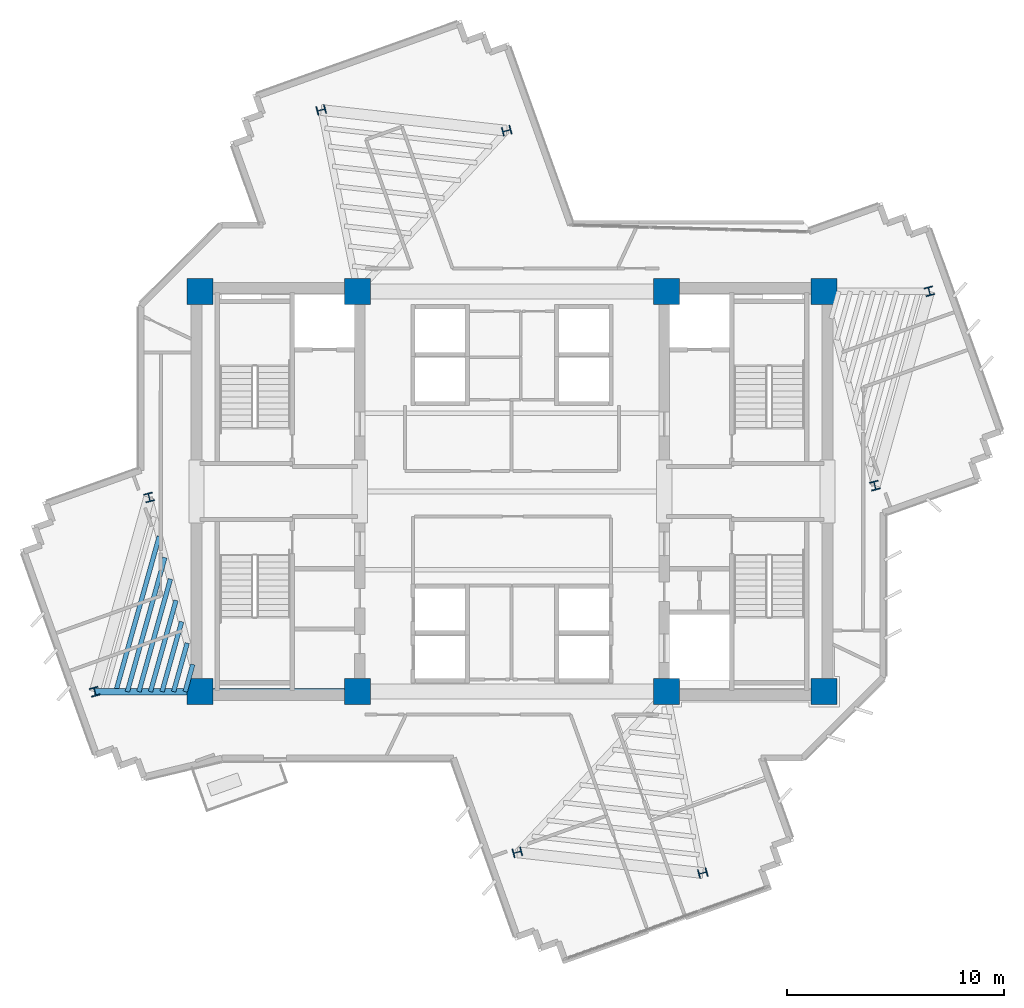
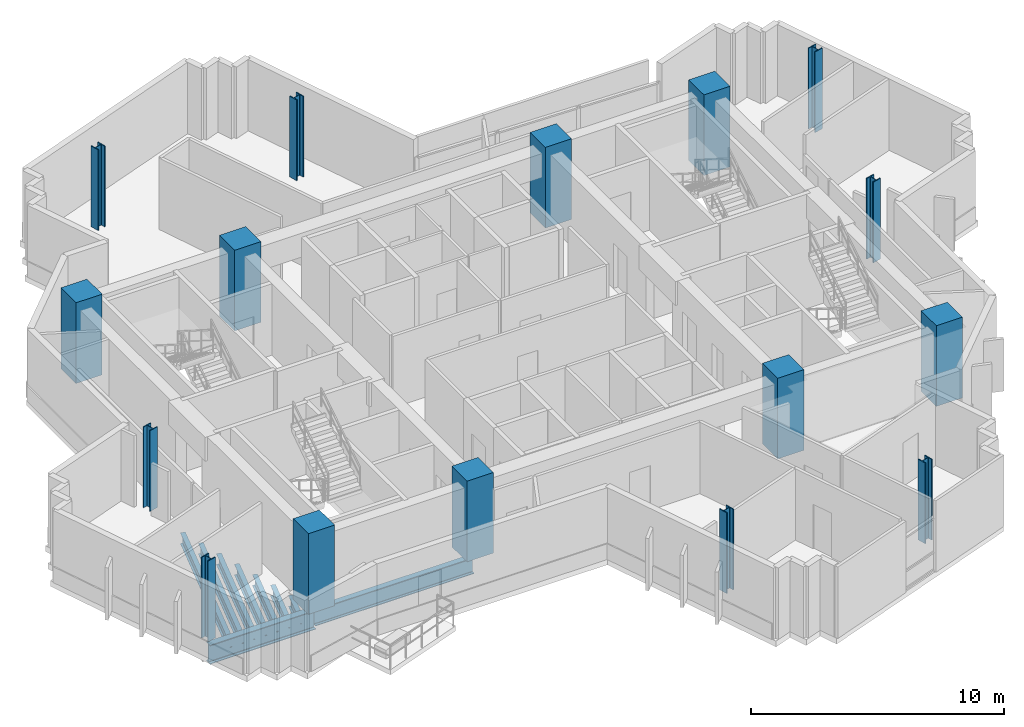
# One storey, part 1 of 13: 16 columns, 9 beams.
"""IFC4 building model written with IfcOpenShell, lengths in metres."""

from ifc_helpers import new_model, si_unit, direction, frame, origin, origin_2d, place, context, subcontext, project, spatial, rectangle, i_section, extrude, source, transform, mapped, material, material_profile, profile_set, type_object, element, save


model = new_model("IFC4")

# Units and contexts
model_context = context("Model", 3, precision=1e-05, world=origin(), true_north=direction((0.0, 1.0)))
body_context = subcontext(model_context, "Body", "Model", "MODEL_VIEW")
ifc_project = project(units=[si_unit("LENGTHUNIT", "METRE"), si_unit("AREAUNIT", "SQUARE_METRE"), si_unit("VOLUMEUNIT", "CUBIC_METRE"), si_unit("PLANEANGLEUNIT", "RADIAN"), si_unit("MASSUNIT", "GRAM", prefix="KILO")], contexts=[model_context])

# Site, building, storey
site_placement = place(None, origin())
site = spatial("IfcSite", under=ifc_project, at=site_placement, CompositionType="ELEMENT")
building_placement = place(site_placement, origin())
building = spatial("IfcBuilding", under=site, at=building_placement, Name="Zahravan Cultural Tower", CompositionType="ELEMENT")
storey_placement = place(building_placement, frame((0.0, 0.0, 225.300048828125)))
storey = spatial("IfcBuildingStorey", under=building, at=storey_placement, Name="L53", CompositionType="ELEMENT", Elevation=225.300048828125)

# Columns
ifc_material_1 = material(Name="Concrete C50/60", Category="concrete")
ifc_material_profile_1 = material_profile(ifc_material_1, rectangle(XDim=1.199951171875, YDim=1.199951171875, at=origin_2d()), Name="RC1200X1200")
ifc_profile_set_1 = profile_set([ifc_material_profile_1], Name="Concrete C50/60")
column_type_1 = type_object("IfcColumnType", Name="COL-RC1200", PredefinedType="COLUMN", material=ifc_profile_set_1)
shared_shape_1 = source(origin(), body_context, "Body", "SweptSolid", [
    extrude(rectangle(XDim=1.199951171875, YDim=1.199951171875, at=origin_2d()), origin(), (0.0, 0.0, 1.0), 3.89990234375),
])
for number, where, z_axis, x_axis, name in (
    (1, (21.64990234375, 17.800048828125, 0.0), (0.0, 0.0, 1.0), (1.0, 0.0, 0.0), "L53 Column CC-W1"),
    (2, (28.89990234375, 17.800048828125, 0.0), (0.0, 0.0, 1.0), (1.0, 0.0, 0.0), "L53 Column CC-W2"),
    (3, (21.64990234375, 36.199951171875, 0.0), (0.0, 0.0, 1.0), (1.0, 0.0, 0.0), "L53 Column CC-W3"),
    (4, (28.89990234375, 36.199951171875, 0.0), (0.0, 0.0, 1.0), (1.0, 0.0, 0.0), "L53 Column CC-W4"),
    (5, (43.10009765625, 17.800048828125, 0.0), (0.0, 0.0, 1.0), (1.0, 0.0, 0.0), "L53 Column CC-E1"),
    (6, (50.35009765625, 17.800048828125, 0.0), (0.0, 0.0, 1.0), (1.0, 0.0, 0.0), "L53 Column CC-E2"),
    (7, (43.10009765625, 36.199951171875, 0.0), (0.0, 0.0, 1.0), (1.0, 0.0, 0.0), "L53 Column CC-E3"),
    (8, (50.35009765625, 36.199951171875, 0.0), (0.0, 0.0, 1.0), (1.0, 0.0, 0.0), "L53 Column CC-E4"),
):
    element("IfcColumn", number, at=place(storey_placement, frame(where, z_axis=z_axis, x_axis=x_axis)), inside=storey, type_object=column_type_1, Name=name, PredefinedType="COLUMN", context=body_context, shape_type="MappedRepresentation", body=[
        mapped(shared_shape_1, transform((0.0, 0.0, 0.0), x_axis=(1.0, 0.0, 0.0), y_axis=(0.0, 1.0, 0.0), z_axis=(0.0, 0.0, 1.0), scale=1.0)),
    ])
ifc_material_2 = material(Name="Steel ASTM A992 Grade 50", Category="steel")
ifc_material_profile_2 = material_profile(ifc_material_2, i_section(OverallWidth=0.404052734375, OverallDepth=0.406982421875, WebThickness=0.027099609375, FlangeThickness=0.043701171875, FilletRadius=0.01806640625, at=origin_2d()), Name="W14X233")
ifc_profile_set_2 = profile_set([ifc_material_profile_2], Name="Steel ASTM A992 Grade 50")
column_type_2 = type_object("IfcColumnType", Name="COL-W14X233", PredefinedType="COLUMN", material=ifc_profile_set_2)
shared_shape_2 = source(origin(), body_context, "Body", "SweptSolid", [
    extrude(i_section(OverallWidth=0.404052734375, OverallDepth=0.406982421875, WebThickness=0.027099609375, FlangeThickness=0.043701171875, FilletRadius=0.01806640625, at=origin_2d()), origin(), (0.0, 0.0, 1.0), 3.89990234375),
])
for number, where, z_axis, x_axis, name in (
    (9, (52.684326171875, 27.27099609375, 0.0), (0.0, 0.0, 1.0), (0.966823388604, 0.255445757936, 0.0), "L53 Column Z2C-E1"),
    (10, (55.184814453125, 36.2060546875, 0.0), (0.0, 0.0, 1.0), (0.966823388604, 0.255445757936, 0.0), "L53 Column Z2C-E2"),
    (11, (35.754638671875, 43.587646484375, 0.0), (0.0, 0.0, 1.0), (-0.255445757936, 0.966823388604, 0.0), "L53 Column Z2C-N1"),
    (12, (27.22802734375, 44.541259765625, 0.0), (0.0, 0.0, 1.0), (-0.255445757936, 0.966823388604, 0.0), "L53 Column Z2C-N2"),
    (13, (19.315673828125, 26.72900390625, 0.0), (0.0, 0.0, 1.0), (0.966823388604, 0.255445757936, 0.0), "L53 Column Z2C-W1"),
    (14, (16.815185546875, 17.7939453125, 0.0), (0.0, 0.0, 1.0), (0.966823388604, 0.255445757936, 0.0), "L53 Column Z2C-W2"),
    (15, (36.245361328125, 10.412353515625, 0.0), (0.0, 0.0, 1.0), (-0.255445757936, 0.966823388604, 0.0), "L53 Column Z2C-S1"),
    (16, (44.77197265625, 9.458740234375, 0.0), (0.0, 0.0, 1.0), (-0.255445757936, 0.966823388604, 0.0), "L53 Column Z2C-S2"),
):
    element("IfcColumn", number, at=place(storey_placement, frame(where, z_axis=z_axis, x_axis=x_axis)), inside=storey, type_object=column_type_2, Name=name, PredefinedType="COLUMN", context=body_context, shape_type="MappedRepresentation", body=[
        mapped(shared_shape_2, transform((0.0, 0.0, 0.0), x_axis=(1.0, 0.0, 0.0), y_axis=(0.0, 1.0, 0.0), z_axis=(0.0, 0.0, 1.0), scale=1.0)),
    ])

# Beams
ifc_material_profile_3 = material_profile(ifc_material_2, i_section(OverallWidth=0.26611328125, OverallDepth=0.780029296875, WebThickness=0.0166015625, FlangeThickness=0.030029296875, FilletRadius=0.01904296875, at=origin_2d()), Name="W30X148")
ifc_profile_set_3 = profile_set([ifc_material_profile_3], Name="Steel ASTM A992 Grade 50")
beam_type_1 = type_object("IfcBeamType", Name="BM-G-W30X148", PredefinedType="BEAM", material=ifc_profile_set_3)
shared_shape_3 = source(origin(), body_context, "Body", "SweptSolid", [
    extrude(i_section(OverallWidth=0.26611328125, OverallDepth=0.780029296875, WebThickness=0.0166015625, FlangeThickness=0.030029296875, FilletRadius=0.01904296875, at=origin_2d()), origin(), (0.0, 0.0, 1.0), 7.25),
])
beam_1_placement = place(storey_placement, frame((21.64990234375, 17.800048828125, -0.670166015625), z_axis=(1.0, 0.0, 0.0), x_axis=(0.0, 1.0, 0.0)))
element("IfcBeam", 17, at=beam_1_placement, inside=storey, type_object=beam_type_1, Name="L53 Beam BG-L53-01", PredefinedType="BEAM", context=body_context, shape_type="MappedRepresentation", body=[
    mapped(shared_shape_3, transform((0.0, 0.0, 0.0), x_axis=(1.0, 0.0, 0.0), y_axis=(0.0, 1.0, 0.0), z_axis=(0.0, 0.0, 1.0), scale=1.0)),
])
ifc_material_profile_4 = material_profile(ifc_material_2, i_section(OverallWidth=0.304931640625, OverallDepth=0.9189453125, WebThickness=0.017333984375, FlangeThickness=0.02783203125, FilletRadius=0.02392578125, at=origin_2d()), Name="W36X170")
ifc_profile_set_4 = profile_set([ifc_material_profile_4], Name="Steel ASTM A992 Grade 50")
beam_type_2 = type_object("IfcBeamType", Name="BM-G-W36X170", PredefinedType="BEAM", material=ifc_profile_set_4)
shared_shape_4 = source(origin(), body_context, "Body", "SweptSolid", [
    extrude(i_section(OverallWidth=0.304931640625, OverallDepth=0.9189453125, WebThickness=0.017333984375, FlangeThickness=0.02783203125, FilletRadius=0.02392578125, at=origin_2d()), origin(), (0.0, 0.0, 1.0), 4.834716796875),
])
beam_2_placement = place(storey_placement, frame((21.64990234375, 17.800048828125, -0.739501953125), z_axis=(-0.99999920313, -0.001262433979, 0.0), x_axis=(0.001262433979, -0.99999920313, 0.0)))
element("IfcBeam", 18, at=beam_2_placement, inside=storey, type_object=beam_type_2, Name="L53 Beam BG-L53-08", PredefinedType="BEAM", context=body_context, shape_type="MappedRepresentation", body=[
    mapped(shared_shape_4, transform((0.0, 0.0, 0.0), x_axis=(1.0, 0.0, 0.0), y_axis=(0.0, 1.0, 0.0), z_axis=(0.0, 0.0, 1.0), scale=1.0)),
])
ifc_material_profile_5 = material_profile(ifc_material_2, i_section(OverallWidth=0.2099609375, OverallDepth=0.532958984375, WebThickness=0.01025390625, FlangeThickness=0.015625, FilletRadius=0.013916015625, at=origin_2d()), Name="W21X62")
ifc_profile_set_5 = profile_set([ifc_material_profile_5], Name="Steel ASTM A992 Grade 50")
beam_type_3 = type_object("IfcBeamType", Name="BM-J-W21X62", PredefinedType="JOIST", material=ifc_profile_set_5)
shared_shape_5 = source(origin(), body_context, "Body", "SweptSolid", [
    extrude(i_section(OverallWidth=0.2099609375, OverallDepth=0.532958984375, WebThickness=0.01025390625, FlangeThickness=0.015625, FilletRadius=0.013916015625, at=origin_2d()), origin(), (0.0, 0.0, 1.0), 1.299072265625),
])
beam_3_placement = place(storey_placement, frame((21.3232421875, 19.050048828125, -0.546630859375), z_axis=(-0.269504444708, -0.962999145525, 0.0), x_axis=(0.962999145525, -0.269504444708, 0.0)))
element("IfcBeam", 19, at=beam_3_placement, inside=storey, type_object=beam_type_3, Name="L53 Beam BJ-L53-22", PredefinedType="JOIST", context=body_context, shape_type="MappedRepresentation", body=[
    mapped(shared_shape_5, transform((0.0, 0.0, 0.0), x_axis=(1.0, 0.0, 0.0), y_axis=(0.0, 1.0, 0.0), z_axis=(0.0, 0.0, 1.0), scale=1.0)),
])
shared_shape_6 = source(origin(), body_context, "Body", "SweptSolid", [
    extrude(i_section(OverallWidth=0.2099609375, OverallDepth=0.532958984375, WebThickness=0.01025390625, FlangeThickness=0.015625, FilletRadius=0.013916015625, at=origin_2d()), origin(), (0.0, 0.0, 1.0), 2.3193359375),
])
beam_4_placement = place(storey_placement, frame((21.06640625, 20.0322265625, -0.546630859375), z_axis=(-0.269462038626, -0.963011012263, 0.0), x_axis=(0.963011012263, -0.269462038626, 0.0)))
element("IfcBeam", 20, at=beam_4_placement, inside=storey, type_object=beam_type_3, Name="L53 Beam BJ-L53-23", PredefinedType="JOIST", context=body_context, shape_type="MappedRepresentation", body=[
    mapped(shared_shape_6, transform((0.0, 0.0, 0.0), x_axis=(1.0, 0.0, 0.0), y_axis=(0.0, 1.0, 0.0), z_axis=(0.0, 0.0, 1.0), scale=1.0)),
])
shared_shape_7 = source(origin(), body_context, "Body", "SweptSolid", [
    extrude(i_section(OverallWidth=0.2099609375, OverallDepth=0.532958984375, WebThickness=0.01025390625, FlangeThickness=0.015625, FilletRadius=0.013916015625, at=origin_2d()), origin(), (0.0, 0.0, 1.0), 3.340087890625),
])
beam_5_placement = place(storey_placement, frame((20.809814453125, 21.014404296875, -0.546630859375), z_axis=(-0.269562146951, -0.962982995141, 0.0), x_axis=(0.962982995141, -0.269562146951, 0.0)))
element("IfcBeam", 21, at=beam_5_placement, inside=storey, type_object=beam_type_3, Name="L53 Beam BJ-L53-24", PredefinedType="JOIST", context=body_context, shape_type="MappedRepresentation", body=[
    mapped(shared_shape_7, transform((0.0, 0.0, 0.0), x_axis=(1.0, 0.0, 0.0), y_axis=(0.0, 1.0, 0.0), z_axis=(0.0, 0.0, 1.0), scale=1.0)),
])
shared_shape_8 = source(origin(), body_context, "Body", "SweptSolid", [
    extrude(i_section(OverallWidth=0.2099609375, OverallDepth=0.532958984375, WebThickness=0.01025390625, FlangeThickness=0.015625, FilletRadius=0.013916015625, at=origin_2d()), origin(), (0.0, 0.0, 1.0), 4.36083984375),
])
beam_6_placement = place(storey_placement, frame((20.552978515625, 21.99658203125, -0.546630859375), z_axis=(-0.269511557673, -0.962997154866, 0.0), x_axis=(0.962997154866, -0.269511557673, 0.0)))
element("IfcBeam", 22, at=beam_6_placement, inside=storey, type_object=beam_type_3, Name="L53 Beam BJ-L53-25", PredefinedType="JOIST", context=body_context, shape_type="MappedRepresentation", body=[
    mapped(shared_shape_8, transform((0.0, 0.0, 0.0), x_axis=(1.0, 0.0, 0.0), y_axis=(0.0, 1.0, 0.0), z_axis=(0.0, 0.0, 1.0), scale=1.0)),
])
shared_shape_9 = source(origin(), body_context, "Body", "SweptSolid", [
    extrude(i_section(OverallWidth=0.2099609375, OverallDepth=0.532958984375, WebThickness=0.01025390625, FlangeThickness=0.015625, FilletRadius=0.013916015625, at=origin_2d()), origin(), (0.0, 0.0, 1.0), 5.3818359375),
])
beam_7_placement = place(storey_placement, frame((20.296142578125, 22.97900390625, -0.546630859375), z_axis=(-0.269510454638, -0.962997463569, 0.0), x_axis=(0.962997463569, -0.269510454638, 0.0)))
element("IfcBeam", 23, at=beam_7_placement, inside=storey, type_object=beam_type_3, Name="L53 Beam BJ-L53-26", PredefinedType="JOIST", context=body_context, shape_type="MappedRepresentation", body=[
    mapped(shared_shape_9, transform((0.0, 0.0, 0.0), x_axis=(1.0, 0.0, 0.0), y_axis=(0.0, 1.0, 0.0), z_axis=(0.0, 0.0, 1.0), scale=1.0)),
])
shared_shape_10 = source(origin(), body_context, "Body", "SweptSolid", [
    extrude(i_section(OverallWidth=0.2099609375, OverallDepth=0.532958984375, WebThickness=0.01025390625, FlangeThickness=0.015625, FilletRadius=0.013916015625, at=origin_2d()), origin(), (0.0, 0.0, 1.0), 6.402099609375),
])
beam_8_placement = place(storey_placement, frame((20.039306640625, 23.961181640625, -0.546630859375), z_axis=(-0.269494133533, -0.963002031146, 0.0), x_axis=(0.963002031146, -0.269494133533, 0.0)))
element("IfcBeam", 24, at=beam_8_placement, inside=storey, type_object=beam_type_3, Name="L53 Beam BJ-L53-27", PredefinedType="JOIST", context=body_context, shape_type="MappedRepresentation", body=[
    mapped(shared_shape_10, transform((0.0, 0.0, 0.0), x_axis=(1.0, 0.0, 0.0), y_axis=(0.0, 1.0, 0.0), z_axis=(0.0, 0.0, 1.0), scale=1.0)),
])
shared_shape_11 = source(origin(), body_context, "Body", "SweptSolid", [
    extrude(i_section(OverallWidth=0.2099609375, OverallDepth=0.532958984375, WebThickness=0.01025390625, FlangeThickness=0.015625, FilletRadius=0.013916015625, at=origin_2d()), origin(), (0.0, 0.0, 1.0), 7.4228515625),
])
beam_9_placement = place(storey_placement, frame((19.78271484375, 24.943359375, -0.546630859375), z_axis=(-0.269504266128, -0.962999195503, 0.0), x_axis=(0.962999195503, -0.269504266128, 0.0)))
element("IfcBeam", 25, at=beam_9_placement, inside=storey, type_object=beam_type_3, Name="L53 Beam BJ-L53-28", PredefinedType="JOIST", context=body_context, shape_type="MappedRepresentation", body=[
    mapped(shared_shape_11, transform((0.0, 0.0, 0.0), x_axis=(1.0, 0.0, 0.0), y_axis=(0.0, 1.0, 0.0), z_axis=(0.0, 0.0, 1.0), scale=1.0)),
])

save(model, "model.ifc")
